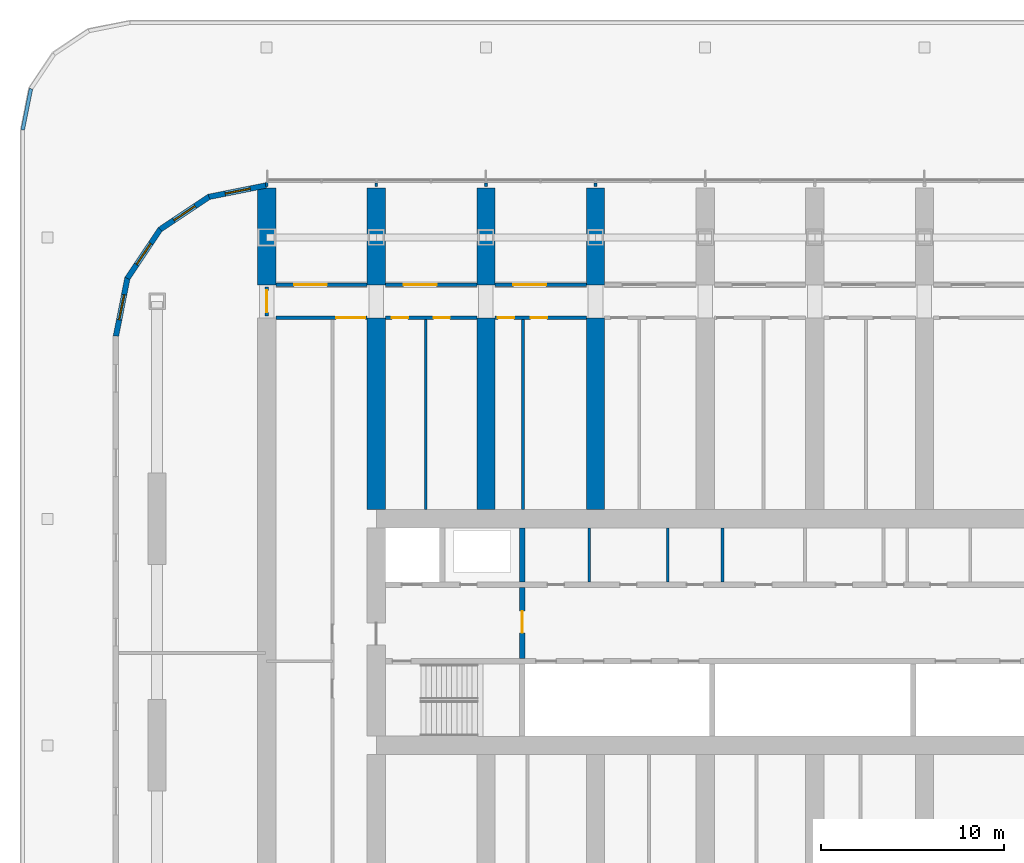
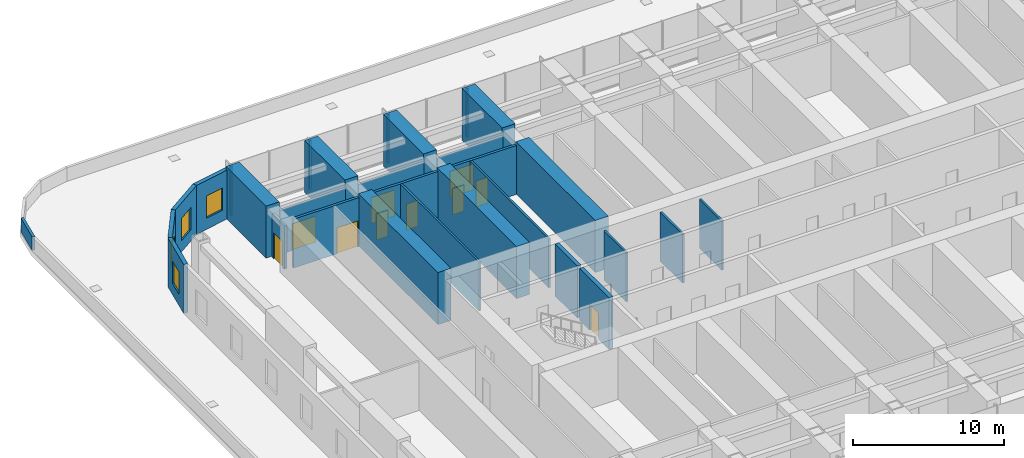
# One storey, part 13 of 23: 30 walls, 10 doors, 4 windows, 14 openings.
"""IFC4 building model written with IfcOpenShell, lengths in metres."""

import ifcopenshell
import ifcopenshell.guid

model = None  # the IFC model being written
_history = None  # IfcOwnerHistory: only IFC2X3 demands one
_inside = {}  # id of a spatial element -> (the spatial element, [elements in it])
_under = {}  # id of a project, library or spatial element -> (it, [spatial elements below it])
_declared = {}  # id of a project -> (the project, [libraries it declares])
_typed = {}  # id of a type object -> (the type object, [elements of that type])
_made_of = {}  # id of a material, layer set ... -> (it, [elements and type objects made of it])


def new_model(schema):
    """Start an empty IFC model of exactly this schema.

    Asked for "IFC4X3", IfcOpenShell would pick the latest addendum, in which some entities
    have other attributes; the version numbers below select the first issue.
    IFC2X3 requires an IfcOwnerHistory on every rooted entity: one is made here for all.
    """
    global model, _history
    if schema == "IFC4X3":
        model = ifcopenshell.file(schema_version=(4, 3, 0, 0))
    else:
        model = ifcopenshell.file(schema=schema)
    _inside.clear()
    _under.clear()
    _declared.clear()
    _typed.clear()
    _made_of.clear()
    _history = None
    if model.schema == "IFC2X3":
        org = make("IfcOrganization", Name="unknown")
        user = make(
            "IfcPersonAndOrganization",
            ThePerson=make("IfcPerson", FamilyName="unknown"),
            TheOrganization=org,
        )
        app = make(
            "IfcApplication",
            ApplicationDeveloper=org,
            Version="unknown",
            ApplicationFullName="unknown",
            ApplicationIdentifier="unknown",
        )
        _history = make(
            "IfcOwnerHistory",
            OwningUser=user,
            OwningApplication=app,
            ChangeAction="ADDED",
            CreationDate=0,
        )
    return model


def make(cls, **values):
    """One entity of the class cls with the attributes given. An attribute that is None is left unset."""
    return model.create_entity(
        cls, **{name: value for name, value in values.items() if value is not None}
    )


def rooted(cls, **values):
    """An entity with a GlobalId (a new one), such as an element, a storey or a relation."""
    return make(cls, GlobalId=ifcopenshell.guid.new(), OwnerHistory=_history, **values)


def si_unit(unit_type, name, prefix=None):
    """IfcSIUnit, for example si_unit("LENGTHUNIT", "METRE", prefix="MILLI")."""
    return make("IfcSIUnit", UnitType=unit_type, Prefix=prefix, Name=name)


def assignment(units):
    """IfcUnitAssignment: the units of a project."""
    return None if units is None else make("IfcUnitAssignment", Units=units)


def point(xyz):
    """IfcCartesianPoint."""
    return None if xyz is None else make("IfcCartesianPoint", Coordinates=xyz)


def direction(xyz):
    """IfcDirection."""
    return None if xyz is None else make("IfcDirection", DirectionRatios=xyz)


def frame(location, z_axis=None, x_axis=None):
    """IfcAxis2Placement3D, a coordinate frame: its origin and axes. An axis left out is left unset."""
    return make(
        "IfcAxis2Placement3D",
        Location=point(location),
        Axis=direction(z_axis),
        RefDirection=direction(x_axis),
    )


def frame_2d(location, x_axis=None):
    """IfcAxis2Placement2D, a coordinate frame in the plane: its origin and x axis."""
    return make(
        "IfcAxis2Placement2D", Location=point(location), RefDirection=direction(x_axis)
    )


def origin():
    """The frame at (0, 0, 0) with its axes left unset."""
    return frame((0.0, 0.0, 0.0))


def place(relative_to, where):
    """IfcLocalPlacement: puts the frame where relative to a parent placement (None: the world)."""
    return make(
        "IfcLocalPlacement", PlacementRelTo=relative_to, RelativePlacement=where
    )


def context(
    kind, dimensions, precision=None, world=None, true_north=None, identifier=None
):
    """IfcGeometricRepresentationContext, for example the 3D "Model" context."""
    return make(
        "IfcGeometricRepresentationContext",
        ContextIdentifier=identifier,
        ContextType=kind,
        CoordinateSpaceDimension=dimensions,
        Precision=precision,
        WorldCoordinateSystem=world,
        TrueNorth=true_north,
    )


def subcontext(parent, identifier, kind, view, scale=None):
    """IfcGeometricRepresentationSubContext, for example "Body" below "Model"."""
    return make(
        "IfcGeometricRepresentationSubContext",
        ContextIdentifier=identifier,
        ContextType=kind,
        ParentContext=parent,
        TargetScale=scale,
        TargetView=view,
    )


def project(units=None, contexts=None):
    """IfcProject with its units and contexts."""
    return rooted(
        "IfcProject",
        Name="project",
        RepresentationContexts=contexts,
        UnitsInContext=assignment(units),
    )


def spatial(cls, under=None, at=None, **own):
    """A site, building, storey or space (cls), placed at a placement, below another one or the project."""
    s = rooted(cls, ObjectPlacement=at, **own)
    if under is not None:
        _under.setdefault(under.id(), (under, []))[1].append(s)
    return s


def polyline(points):
    """IfcPolyline through the points."""
    return make("IfcPolyline", Points=[point(p) for p in points])


def profile(cls, at=None, kind="AREA", **sizes):
    """A parametric profile (cls). Its sizes go by their IFC names, for example OverallWidth=200.0."""
    return make(cls, ProfileType=kind, Position=at, **sizes)


def rectangle(**sizes):
    """IfcRectangleProfileDef."""
    return profile("IfcRectangleProfileDef", **sizes)


def outline(outer, holes=None, kind="AREA"):
    """IfcArbitraryClosedProfileDef: a profile drawn as a closed curve; with holes, ...WithVoids."""
    if holes is None:
        return make("IfcArbitraryClosedProfileDef", ProfileType=kind, OuterCurve=outer)
    return make(
        "IfcArbitraryProfileDefWithVoids",
        ProfileType=kind,
        OuterCurve=outer,
        InnerCurves=holes,
    )


def extrude(swept, where, along, depth):
    """IfcExtrudedAreaSolid: the profile swept, set in the frame where, extruded along a direction by depth."""
    return make(
        "IfcExtrudedAreaSolid",
        SweptArea=swept,
        Position=where,
        ExtrudedDirection=direction(along),
        Depth=depth,
    )


def shape(context_of_items, identifier, shape_type, items):
    """IfcShapeRepresentation: the items that make up one representation, for example the "Body"."""
    return make(
        "IfcShapeRepresentation",
        ContextOfItems=context_of_items,
        RepresentationIdentifier=identifier,
        RepresentationType=shape_type,
        Items=items,
    )


def material(Name=None, Category=None):
    """IfcMaterial."""
    return make("IfcMaterial", Name=Name, Category=Category)


def layer(
    of_material, thickness, ventilated=None, Name=None, Category=None, Priority=None
):
    """IfcMaterialLayer: one layer of a wall or slab, of a material (None: an air gap)."""
    return make(
        "IfcMaterialLayer",
        Material=of_material,
        LayerThickness=thickness,
        IsVentilated=ventilated,
        Name=Name,
        Category=Category,
        Priority=Priority,
    )


def layer_set(layers, Name=None):
    """IfcMaterialLayerSet."""
    return make("IfcMaterialLayerSet", MaterialLayers=layers, LayerSetName=Name)


def made_of(thing, what):
    """Note that an element or type object is made of a material, layer set ...; save() writes the relation."""
    if what is not None:
        _made_of.setdefault(what.id(), (what, []))[1].append(thing)
    return thing


def type_object(cls, material=None, **own):
    """A type object (cls), such as IfcWallType, which elements share."""
    return made_of(rooted(cls, **own), material)


def element(
    cls,
    number,
    at=None,
    inside=None,
    cuts=None,
    type_object=None,
    material=None,
    context=None,
    identifier="Body",
    shape_type=None,
    held_by="IfcProductDefinitionShape",
    body=None,
    shapes=None,
    **own,
):
    """One element of the class cls, such as IfcWall. Its Tag is "e" and its number.

    at: its placement. inside: the storey or other place that contains it. cuts: it is an
    opening in that element (IfcRelVoidsElement). A single representation is given by context,
    identifier, shape_type and body (its items); several are given by shapes. held_by: the class
    of the entity that holds the representations. save() writes the other relations.
    """
    e = rooted(cls, Tag="e%d" % number, ObjectPlacement=at, **own)
    if body is not None:
        shapes = [shape(context, identifier, shape_type, body)]
    if shapes is not None:
        e.Representation = make(held_by, Representations=shapes)
    if inside is not None:
        _inside.setdefault(inside.id(), (inside, []))[1].append(e)
    if cuts is not None:
        rooted(
            "IfcRelVoidsElement", RelatingBuildingElement=cuts, RelatedOpeningElement=e
        )
    if type_object is not None:
        _typed.setdefault(type_object.id(), (type_object, []))[1].append(e)
    return made_of(e, material)


def fill(opening, filler):
    """IfcRelFillsElement: the door or window that sits in an opening."""
    return rooted(
        "IfcRelFillsElement",
        RelatingOpeningElement=opening,
        RelatedBuildingElement=filler,
    )


def aggregate(whole, parts):
    """IfcRelAggregates: a whole, such as a stair, and the parts it consists of."""
    return rooted("IfcRelAggregates", RelatingObject=whole, RelatedObjects=parts)


def save(model, path):
    """Write the relations noted so far, then the file.

    IfcRelAggregates (storeys below a building ...), IfcRelContainedInSpatialStructure (elements
    in a storey), IfcRelDefinesByType, IfcRelAssociatesMaterial and IfcRelDeclares: one each for
    every whole, place, type object, material and project.
    """
    for whole, parts in _under.values():
        aggregate(whole, parts)
    for where, things in _inside.values():
        rooted(
            "IfcRelContainedInSpatialStructure",
            RelatedElements=things,
            RelatingStructure=where,
        )
    for kind, things in _typed.values():
        rooted("IfcRelDefinesByType", RelatedObjects=things, RelatingType=kind)
    for what, things in _made_of.values():
        rooted("IfcRelAssociatesMaterial", RelatedObjects=things, RelatingMaterial=what)
    for by, libraries in _declared.values():
        rooted("IfcRelDeclares", RelatingContext=by, RelatedDefinitions=libraries)
    model.write(path)


model = new_model("IFC4")

# Units and contexts
model_context = context("Model", 3, precision=1e-05, world=origin(), true_north=direction((0.0, 1.0)))
body_context = subcontext(model_context, "Body", "Model", "MODEL_VIEW")
ifc_project = project(units=[si_unit("LENGTHUNIT", "METRE"), si_unit("AREAUNIT", "SQUARE_METRE"), si_unit("VOLUMEUNIT", "CUBIC_METRE"), si_unit("PLANEANGLEUNIT", "RADIAN"), si_unit("MASSUNIT", "GRAM", prefix="KILO")], contexts=[model_context])

# Site, building, storey
site_placement = place(None, origin())
site = spatial("IfcSite", under=ifc_project, at=site_placement, CompositionType="ELEMENT")
building_placement = place(site_placement, origin())
building = spatial("IfcBuilding", under=site, at=building_placement, Name="Orbita Commons", CompositionType="ELEMENT")
storey_placement = place(building_placement, frame((0.0, 0.0, 16.0)))
storey = spatial("IfcBuildingStorey", under=building, at=storey_placement, Name="L03", CompositionType="ELEMENT", Elevation=16.0)

# Wall, opening, door
ifc_material_1 = material(Name="Concrete C50/60", Category="concrete")
ifc_layer_1 = layer(ifc_material_1, 0.300048828125)
ifc_layer_set_1 = layer_set([ifc_layer_1], Name="Concrete C50/60")
wall_type_1 = type_object("IfcWallType", Name="Core inner wall 300 C50/60", PredefinedType="SHEAR", material=ifc_layer_set_1)
wall_1_placement = place(storey_placement, frame((26.0, 30.550048828125, 0.0), z_axis=(0.0, 0.0, 1.0), x_axis=(0.0, 1.0, 0.0)))
wall_1 = element("IfcWall", 1, at=wall_1_placement, inside=storey, type_object=wall_type_1, Name="Firefighting lobby wall west L03", PredefinedType="SHEAR", context=body_context, shape_type="SweptSolid", body=[
    extrude(rectangle(XDim=3.89990234375, YDim=0.300048828125, at=frame_2d((1.949951171875, 0.0))), origin(), (0.0, 0.0, 1.0), 4.199951171875),
])
opening_1_placement = place(wall_1_placement, frame((1.39990234375, 0.0, 0.0)))
opening_1 = element("IfcOpeningElement", 2, at=opening_1_placement, cuts=wall_1, Name="Opening D04", PredefinedType="OPENING", context=body_context, shape_type="SweptSolid", body=[
    extrude(rectangle(XDim=1.199951171875, YDim=2.10009765625, at=frame_2d((0.60009765625, 1.050048828125))), frame((0.0, 0.159912109375, 0.0), z_axis=(0.0, -1.0, 0.0), x_axis=(1.0, 0.0, 0.0)), (0.0, 0.0, 1.0), 0.320068359375),
])
ifc_material_2 = material(Name="Steel-faced fire door leaf", Category="steel")
door_type_1 = type_object("IfcDoorType", Name="Service door 20 min 1200x2100", OperationType="SINGLE_SWING_LEFT", PredefinedType="DOOR", material=ifc_material_2)
door_1_placement = place(opening_1_placement, origin())
door_1 = element("IfcDoor", 3, at=door_1_placement, inside=storey, type_object=door_type_1, Name="Lift lobby door west", OperationType="SINGLE_SWING_LEFT", OverallHeight=2.10009765625, OverallWidth=1.199951171875, PredefinedType="DOOR", context=body_context, shape_type="SweptSolid", body=[
    extrude(rectangle(XDim=1.199951171875, YDim=2.10009765625, at=frame_2d((0.60009765625, 1.050048828125))), frame((0.0, 0.02490234375, 0.0), z_axis=(0.0, -1.0, 0.0), x_axis=(1.0, 0.0, 0.0)), (0.0, 0.0, 1.0), 0.050048828125),
])
fill(opening_1, door_1)

# Walls
wall_2_placement = place(storey_placement, frame((26.0, 34.75, 0.0), z_axis=(0.0, 0.0, 1.0), x_axis=(0.0, 1.0, 0.0)))
element("IfcWall", 4, at=wall_2_placement, inside=storey, type_object=wall_type_1, Name="Riser wall west L03", PredefinedType="SHEAR", context=body_context, shape_type="SweptSolid", body=[
    extrude(rectangle(XDim=2.949951171875, YDim=0.300048828125, at=frame_2d((1.47509765625, 0.0))), origin(), (0.0, 0.0, 1.0), 4.199951171875),
])
ifc_material_3 = material(Name="Concrete blockwork", Category="masonry")
ifc_layer_2 = layer(ifc_material_3, 0.14990234375)
ifc_layer_set_2 = layer_set([ifc_layer_2], Name="Concrete blockwork")
wall_type_2 = type_object("IfcWallType", Name="Core partition 150 blockwork", PredefinedType="SOLIDWALL", material=ifc_layer_set_2)
for number, where, z_axis, x_axis, name in (
    (5, (29.65087890625, 34.75, 0.0), (0.0, 0.0, 1.0), (0.0, 1.0, 0.0), "Core partition 150 blockwork L03"),
    (6, (33.9462890625, 34.75, 0.0), (0.0, 0.0, 1.0), (0.0, 1.0, 0.0), "Core partition 150 blockwork L03"),
    (7, (36.9462890625, 34.75, 0.0), (0.0, 0.0, 1.0), (0.0, 1.0, 0.0), "Core partition 150 blockwork L03"),
):
    element("IfcWall", number, at=place(storey_placement, frame(where, z_axis=z_axis, x_axis=x_axis)), inside=storey, type_object=wall_type_2, Name=name, PredefinedType="SOLIDWALL", context=body_context, shape_type="SweptSolid", body=[
        extrude(rectangle(XDim=2.949951171875, YDim=0.14990234375, at=frame_2d((1.47509765625, 0.0))), origin(), (0.0, 0.0, 1.0), 3.949951171875),
    ])

# Wall, opening, door
ifc_material_4 = material(Name="Concrete blockwork", Category="masonry")
ifc_layer_3 = layer(ifc_material_4, 0.199951171875)
ifc_layer_set_3 = layer_set([ifc_layer_3], Name="Concrete blockwork")
wall_type_3 = type_object("IfcWallType", Name="Corridor wall 200 blockwork", PredefinedType="SOLIDWALL", material=ifc_layer_set_3)
wall_3_placement = place(storey_placement, frame((12.5, 51.0, 0.0), z_axis=(0.0, 0.0, 1.0), x_axis=(1.0, 0.0, 0.0)))
wall_3 = element("IfcWall", 8, at=wall_3_placement, inside=storey, type_object=wall_type_3, Name="Corridor wall 200 blockwork L03", PredefinedType="SOLIDWALL", context=body_context, shape_type="SweptSolid", body=[
    extrude(outline(polyline([(0.0, 0.0), (5.0, 0.0), (5.0, 3.550048828125), (0.0, 3.550048828125), (0.0, 0.0)])), frame((0.0, 0.10009765625, 0.0), z_axis=(0.0, -1.0, 0.0), x_axis=(1.0, 0.0, 0.0)), (0.0, 0.0, 1.0), 0.199951171875),
])
opening_2_placement = place(wall_3_placement, frame((1.0, 0.0, 0.0)))
opening_2 = element("IfcOpeningElement", 9, at=opening_2_placement, cuts=wall_3, Name="Opening D07", PredefinedType="OPENING", context=body_context, shape_type="SweptSolid", body=[
    extrude(rectangle(XDim=1.800048828125, YDim=2.10009765625, at=frame_2d((0.89990234375, 1.050048828125))), frame((0.0, 0.10986328125, 0.0), z_axis=(0.0, -1.0, 0.0), x_axis=(1.0, 0.0, 0.0)), (0.0, 0.0, 1.0), 0.219970703125),
])
ifc_material_5 = material(Name="Steel-faced fire door leaf", Category="steel")
door_type_2 = type_object("IfcDoorType", Name="Double corridor door 20 min 1800x2100", OperationType="DOUBLE_DOOR_SINGLE_SWING", PredefinedType="DOOR", material=ifc_material_5)
door_2_placement = place(opening_2_placement, origin())
door_2 = element("IfcDoor", 10, at=door_2_placement, inside=storey, type_object=door_type_2, Name="Co-working room north L03-NF0 doors", OperationType="DOUBLE_DOOR_SINGLE_SWING", OverallHeight=2.10009765625, OverallWidth=1.800048828125, PredefinedType="DOOR", context=body_context, shape_type="SweptSolid", body=[
    extrude(rectangle(XDim=1.800048828125, YDim=2.10009765625, at=frame_2d((0.89990234375, 1.050048828125))), frame((0.0, 0.02490234375, 0.0), z_axis=(0.0, -1.0, 0.0), x_axis=(1.0, 0.0, 0.0)), (0.0, 0.0, 1.0), 0.050048828125),
])
fill(opening_2, door_2)

wall_4_placement = place(storey_placement, frame((18.5, 51.0, 0.0), z_axis=(0.0, 0.0, 1.0), x_axis=(1.0, 0.0, 0.0)))
wall_4 = element("IfcWall", 11, at=wall_4_placement, inside=storey, type_object=wall_type_3, Name="Corridor wall 200 blockwork L03", PredefinedType="SOLIDWALL", context=body_context, shape_type="SweptSolid", body=[
    extrude(outline(polyline([(0.0, 0.0), (5.0, 0.0), (5.0, 3.550048828125), (0.0, 3.550048828125), (0.0, 0.0)])), frame((0.0, 0.10009765625, 0.0), z_axis=(0.0, -1.0, 0.0), x_axis=(1.0, 0.0, 0.0)), (0.0, 0.0, 1.0), 0.199951171875),
])
opening_3_placement = place(wall_4_placement, frame((1.0, 0.0, 0.0)))
opening_3 = element("IfcOpeningElement", 12, at=opening_3_placement, cuts=wall_4, Name="Opening D07", PredefinedType="OPENING", context=body_context, shape_type="SweptSolid", body=[
    extrude(rectangle(XDim=1.800048828125, YDim=2.10009765625, at=frame_2d((0.89990234375, 1.050048828125))), frame((0.0, 0.10986328125, 0.0), z_axis=(0.0, -1.0, 0.0), x_axis=(1.0, 0.0, 0.0)), (0.0, 0.0, 1.0), 0.219970703125),
])
door_3_placement = place(opening_3_placement, origin())
door_3 = element("IfcDoor", 13, at=door_3_placement, inside=storey, type_object=door_type_2, Name="Study hall north L03-NF1 doors", OperationType="DOUBLE_DOOR_SINGLE_SWING", OverallHeight=2.10009765625, OverallWidth=1.800048828125, PredefinedType="DOOR", context=body_context, shape_type="SweptSolid", body=[
    extrude(rectangle(XDim=1.800048828125, YDim=2.10009765625, at=frame_2d((0.89990234375, 1.050048828125))), frame((0.0, 0.02490234375, 0.0), z_axis=(0.0, -1.0, 0.0), x_axis=(1.0, 0.0, 0.0)), (0.0, 0.0, 1.0), 0.050048828125),
])
fill(opening_3, door_3)

wall_5_placement = place(storey_placement, frame((24.5, 51.0, 0.0), z_axis=(0.0, 0.0, 1.0), x_axis=(1.0, 0.0, 0.0)))
wall_5 = element("IfcWall", 14, at=wall_5_placement, inside=storey, type_object=wall_type_3, Name="Corridor wall 200 blockwork L03", PredefinedType="SOLIDWALL", context=body_context, shape_type="SweptSolid", body=[
    extrude(outline(polyline([(0.0, 0.0), (5.0, 0.0), (5.0, 3.550048828125), (0.0, 3.550048828125), (0.0, 0.0)])), frame((0.0, 0.10009765625, 0.0), z_axis=(0.0, -1.0, 0.0), x_axis=(1.0, 0.0, 0.0)), (0.0, 0.0, 1.0), 0.199951171875),
])
opening_4_placement = place(wall_5_placement, frame((1.0, 0.0, 0.0)))
opening_4 = element("IfcOpeningElement", 15, at=opening_4_placement, cuts=wall_5, Name="Opening D07", PredefinedType="OPENING", context=body_context, shape_type="SweptSolid", body=[
    extrude(rectangle(XDim=1.800048828125, YDim=2.10009765625, at=frame_2d((0.89990234375, 1.050048828125))), frame((0.0, 0.10986328125, 0.0), z_axis=(0.0, -1.0, 0.0), x_axis=(1.0, 0.0, 0.0)), (0.0, 0.0, 1.0), 0.219970703125),
])
door_4_placement = place(opening_4_placement, origin())
door_4 = element("IfcDoor", 16, at=door_4_placement, inside=storey, type_object=door_type_2, Name="Meeting room L03-NF2 doors", OperationType="DOUBLE_DOOR_SINGLE_SWING", OverallHeight=2.10009765625, OverallWidth=1.800048828125, PredefinedType="DOOR", context=body_context, shape_type="SweptSolid", body=[
    extrude(rectangle(XDim=1.800048828125, YDim=2.10009765625, at=frame_2d((0.89990234375, 1.050048828125))), frame((0.0, 0.02490234375, 0.0), z_axis=(0.0, -1.0, 0.0), x_axis=(1.0, 0.0, 0.0)), (0.0, 0.0, 1.0), 0.050048828125),
])
fill(opening_4, door_4)

wall_6_placement = place(storey_placement, frame((12.0, 49.300048828125, 0.0), z_axis=(0.0, 0.0, 1.0), x_axis=(0.0, 1.0, 0.0)))
wall_6 = element("IfcWall", 17, at=wall_6_placement, inside=storey, type_object=wall_type_3, Name="Corridor wall 200 blockwork L03", PredefinedType="SOLIDWALL", context=body_context, shape_type="SweptSolid", body=[
    extrude(outline(polyline([(0.0, 0.0), (1.599853515625, 0.0), (1.60009765625, 3.5), (0.0, 3.5), (0.0, 0.0)])), frame((0.0, 0.10009765625, 0.0), z_axis=(0.0, -1.0, 0.0), x_axis=(1.0, 0.0, 0.0)), (0.0, 0.0, 1.0), 0.199951171875),
])
opening_5_placement = place(wall_6_placement, frame((0.199951171875, 0.0, 0.0)))
opening_5 = element("IfcOpeningElement", 18, at=opening_5_placement, cuts=wall_6, Name="Opening D12", PredefinedType="OPENING", context=body_context, shape_type="SweptSolid", body=[
    extrude(rectangle(XDim=1.199951171875, YDim=2.10009765625, at=frame_2d((0.60009765625, 1.050048828125))), frame((0.0, 0.10986328125, 0.0), z_axis=(0.0, -1.0, 0.0), x_axis=(1.0, 0.0, 0.0)), (0.0, 0.0, 1.0), 0.219970703125),
])
ifc_material_6 = material(Name="Steel-faced fire door leaf", Category="steel")
door_type_3 = type_object("IfcDoorType", Name="Double corridor door 20 min 1200x2100", OperationType="DOUBLE_DOOR_SINGLE_SWING", PredefinedType="DOOR", material=ifc_material_6)
door_5_placement = place(opening_5_placement, origin())
door_5 = element("IfcDoor", 19, at=door_5_placement, inside=storey, type_object=door_type_3, Name="Lounge doors", OperationType="DOUBLE_DOOR_SINGLE_SWING", OverallHeight=2.10009765625, OverallWidth=1.199951171875, PredefinedType="DOOR", context=body_context, shape_type="SweptSolid", body=[
    extrude(rectangle(XDim=1.199951171875, YDim=2.10009765625, at=frame_2d((0.60009765625, 1.050048828125))), frame((0.0, 0.02490234375, 0.0), z_axis=(0.0, -1.0, 0.0), x_axis=(1.0, 0.0, 0.0)), (0.0, 0.0, 1.0), 0.050048828125),
])
fill(opening_5, door_5)

ifc_material_7 = material(Name="Hollow concrete block 200", Category="concrete")
ifc_layer_4 = layer(ifc_material_7, 0.199951171875)
ifc_layer_set_4 = layer_set([ifc_layer_4], Name="Hollow concrete block 200")
wall_type_4 = type_object("IfcWallType", Name="Corridor wall 200 hollow concrete block", PredefinedType="SOLIDWALL", material=ifc_layer_set_4)
wall_7_placement = place(storey_placement, frame((12.5, 49.199951171875, 0.0), z_axis=(0.0, 0.0, 1.0), x_axis=(1.0, 0.0, 0.0)))
wall_7 = element("IfcWall", 20, at=wall_7_placement, inside=storey, type_object=wall_type_4, Name="Corridor wall 200 hollow concrete block L03", PredefinedType="SOLIDWALL", context=body_context, shape_type="SweptSolid", body=[
    extrude(rectangle(XDim=5.0, YDim=0.199951171875, at=frame_2d((2.5, 0.0))), origin(), (0.0, 0.0, 1.0), 3.949951171875),
])
opening_6_placement = place(wall_7_placement, frame((3.300048828125, 0.0, 0.0)))
opening_6 = element("IfcOpeningElement", 21, at=opening_6_placement, cuts=wall_7, Name="Opening D10", PredefinedType="OPENING", context=body_context, shape_type="SweptSolid", body=[
    extrude(rectangle(XDim=1.60009765625, YDim=2.10009765625, at=frame_2d((0.800048828125, 1.050048828125))), frame((0.0, 0.10986328125, 0.0), z_axis=(0.0, -1.0, 0.0), x_axis=(1.0, 0.0, 0.0)), (0.0, 0.0, 1.0), 0.219970703125),
])
ifc_material_8 = material(Name="Steel-faced fire door leaf", Category="steel")
door_type_4 = type_object("IfcDoorType", Name="Double corridor door 20 min 1600x2100", OperationType="DOUBLE_DOOR_SINGLE_SWING", PredefinedType="DOOR", material=ifc_material_8)
door_6_placement = place(opening_6_placement, origin())
door_6 = element("IfcDoor", 22, at=door_6_placement, inside=storey, type_object=door_type_4, Name="Cross corridor doors", OperationType="DOUBLE_DOOR_SINGLE_SWING", OverallHeight=2.10009765625, OverallWidth=1.60009765625, PredefinedType="DOOR", context=body_context, shape_type="SweptSolid", body=[
    extrude(rectangle(XDim=1.60009765625, YDim=2.10009765625, at=frame_2d((0.800048828125, 1.050048828125))), frame((0.0, 0.02490234375, 0.0), z_axis=(0.0, -1.0, 0.0), x_axis=(1.0, 0.0, 0.0)), (0.0, 0.0, 1.0), 0.050048828125),
])
fill(opening_6, door_6)

# Wall, openings, doors
wall_8_placement = place(storey_placement, frame((18.5, 49.199951171875, 0.0), z_axis=(0.0, 0.0, 1.0), x_axis=(1.0, 0.0, 0.0)))
wall_8 = element("IfcWall", 23, at=wall_8_placement, inside=storey, type_object=wall_type_4, Name="Corridor wall 200 hollow concrete block L03", PredefinedType="SOLIDWALL", context=body_context, shape_type="SweptSolid", body=[
    extrude(rectangle(XDim=5.0, YDim=0.199951171875, at=frame_2d((2.5, 0.0))), origin(), (0.0, 0.0, 1.0), 3.949951171875),
])
opening_7_placement = place(wall_8_placement, frame((0.35009765625, 0.0, 0.0)))
opening_7 = element("IfcOpeningElement", 24, at=opening_7_placement, cuts=wall_8, Name="Opening D11", PredefinedType="OPENING", context=body_context, shape_type="SweptSolid", body=[
    extrude(rectangle(XDim=0.89990234375, YDim=2.10009765625, at=frame_2d((0.449951171875, 1.050048828125))), frame((0.0, 0.10986328125, 0.0), z_axis=(0.0, -1.0, 0.0), x_axis=(1.0, 0.0, 0.0)), (0.0, 0.0, 1.0), 0.219970703125),
])
opening_8_placement = place(wall_8_placement, frame((2.635009765625, 0.0, 0.0)))
opening_8 = element("IfcOpeningElement", 25, at=opening_8_placement, cuts=wall_8, Name="Opening D11", PredefinedType="OPENING", context=body_context, shape_type="SweptSolid", body=[
    extrude(rectangle(XDim=0.89990234375, YDim=2.10009765625, at=frame_2d((0.449951171875, 1.050048828125))), frame((0.0, 0.10986328125, 0.0), z_axis=(0.0, -1.0, 0.0), x_axis=(1.0, 0.0, 0.0)), (0.0, 0.0, 1.0), 0.219970703125),
])
ifc_material_9 = material(Name="Steel-faced fire door leaf", Category="steel")
door_type_5 = type_object("IfcDoorType", Name="Corridor door 20 min 900x2100", OperationType="SINGLE_SWING_LEFT", PredefinedType="DOOR", material=ifc_material_9)
door_7_placement = place(opening_7_placement, origin())
door_7 = element("IfcDoor", 26, at=door_7_placement, inside=storey, type_object=door_type_5, Name="Luggage store L03-BDN18n door", OperationType="SINGLE_SWING_LEFT", OverallHeight=2.10009765625, OverallWidth=0.89990234375, PredefinedType="DOOR", context=body_context, shape_type="SweptSolid", body=[
    extrude(rectangle(XDim=0.89990234375, YDim=2.10009765625, at=frame_2d((0.449951171875, 1.050048828125))), frame((0.0, 0.02490234375, 0.0), z_axis=(0.0, -1.0, 0.0), x_axis=(1.0, 0.0, 0.0)), (0.0, 0.0, 1.0), 0.050048828125),
])
fill(opening_7, door_7)
door_8_placement = place(opening_8_placement, origin())
door_8 = element("IfcDoor", 27, at=door_8_placement, inside=storey, type_object=door_type_5, Name="Media room L03-BDN18 door", OperationType="SINGLE_SWING_LEFT", OverallHeight=2.10009765625, OverallWidth=0.89990234375, PredefinedType="DOOR", context=body_context, shape_type="SweptSolid", body=[
    extrude(rectangle(XDim=0.89990234375, YDim=2.10009765625, at=frame_2d((0.449951171875, 1.050048828125))), frame((0.0, 0.02490234375, 0.0), z_axis=(0.0, -1.0, 0.0), x_axis=(1.0, 0.0, 0.0)), (0.0, 0.0, 1.0), 0.050048828125),
])
fill(opening_8, door_8)

wall_9_placement = place(storey_placement, frame((24.5, 49.199951171875, 0.0), z_axis=(0.0, 0.0, 1.0), x_axis=(1.0, 0.0, 0.0)))
wall_9 = element("IfcWall", 28, at=wall_9_placement, inside=storey, type_object=wall_type_4, Name="Corridor wall 200 hollow concrete block L03", PredefinedType="SOLIDWALL", context=body_context, shape_type="SweptSolid", body=[
    extrude(rectangle(XDim=5.0, YDim=0.199951171875, at=frame_2d((2.5, 0.0))), origin(), (0.0, 0.0, 1.0), 3.949951171875),
])
opening_9_placement = place(wall_9_placement, frame((0.14990234375, 0.0, 0.0)))
opening_9 = element("IfcOpeningElement", 29, at=opening_9_placement, cuts=wall_9, Name="Opening D11", PredefinedType="OPENING", context=body_context, shape_type="SweptSolid", body=[
    extrude(rectangle(XDim=0.89990234375, YDim=2.10009765625, at=frame_2d((0.449951171875, 1.050048828125))), frame((0.0, 0.10986328125, 0.0), z_axis=(0.0, -1.0, 0.0), x_axis=(1.0, 0.0, 0.0)), (0.0, 0.0, 1.0), 0.219970703125),
])
opening_10_placement = place(wall_9_placement, frame((1.949951171875, 0.0, 0.0)))
opening_10 = element("IfcOpeningElement", 30, at=opening_10_placement, cuts=wall_9, Name="Opening D11", PredefinedType="OPENING", context=body_context, shape_type="SweptSolid", body=[
    extrude(rectangle(XDim=0.89990234375, YDim=2.10009765625, at=frame_2d((0.449951171875, 1.050048828125))), frame((0.0, 0.10986328125, 0.0), z_axis=(0.0, -1.0, 0.0), x_axis=(1.0, 0.0, 0.0)), (0.0, 0.0, 1.0), 0.219970703125),
])
door_9_placement = place(opening_9_placement, origin())
door_9 = element("IfcDoor", 31, at=door_9_placement, inside=storey, type_object=door_type_5, Name="Battery and UPS room L03-BDN24n door", OperationType="SINGLE_SWING_LEFT", OverallHeight=2.10009765625, OverallWidth=0.89990234375, PredefinedType="DOOR", context=body_context, shape_type="SweptSolid", body=[
    extrude(rectangle(XDim=0.89990234375, YDim=2.10009765625, at=frame_2d((0.449951171875, 1.050048828125))), frame((0.0, 0.02490234375, 0.0), z_axis=(0.0, -1.0, 0.0), x_axis=(1.0, 0.0, 0.0)), (0.0, 0.0, 1.0), 0.050048828125),
])
fill(opening_9, door_9)
door_10_placement = place(opening_10_placement, origin())
door_10 = element("IfcDoor", 32, at=door_10_placement, inside=storey, type_object=door_type_5, Name="Meeting room L03-BDN24 door", OperationType="SINGLE_SWING_LEFT", OverallHeight=2.10009765625, OverallWidth=0.89990234375, PredefinedType="DOOR", context=body_context, shape_type="SweptSolid", body=[
    extrude(rectangle(XDim=0.89990234375, YDim=2.10009765625, at=frame_2d((0.449951171875, 1.050048828125))), frame((0.0, 0.02490234375, 0.0), z_axis=(0.0, -1.0, 0.0), x_axis=(1.0, 0.0, 0.0)), (0.0, 0.0, 1.0), 0.050048828125),
])
fill(opening_10, door_10)

# Walls
ifc_material_10 = material(Name="Concrete C50/60", Category="concrete")
ifc_layer_5 = layer(ifc_material_10, 1.0)
ifc_layer_set_5 = layer_set([ifc_layer_5], Name="Concrete C50/60")
wall_type_5 = type_object("IfcWallType", Name="Cross wall 1000 C50/60", PredefinedType="SHEAR", material=ifc_layer_set_5)
for number, where, z_axis, x_axis, name in (
    (33, (12.0, 51.0, 0.0), (0.0, 0.0, 1.0), (0.0, 1.0, 0.0), "Cross wall 3 north outer L03"),
    (34, (18.0, 51.0, 0.0), (0.0, 0.0, 1.0), (0.0, 1.0, 0.0), "Cross wall 4 north outer L03"),
):
    element("IfcWall", number, at=place(storey_placement, frame(where, z_axis=z_axis, x_axis=x_axis)), inside=storey, type_object=wall_type_5, Name=name, PredefinedType="SHEAR", context=body_context, shape_type="SweptSolid", body=[
        extrude(rectangle(XDim=5.300048828125, YDim=1.0, at=frame_2d((2.64990234375, 0.0))), origin(), (0.0, 0.0, 1.0), 4.199951171875),
    ])
wall_10_placement = place(storey_placement, frame((18.0, 38.699951171875, 0.0), z_axis=(0.0, 0.0, 1.0), x_axis=(0.0, 1.0, 0.0)))
element("IfcWall", 35, at=wall_10_placement, inside=storey, type_object=wall_type_5, Name="Cross wall 4 north inner L03", PredefinedType="SHEAR", context=body_context, shape_type="SweptSolid", body=[
    extrude(rectangle(XDim=10.5, YDim=1.0, at=frame_2d((5.25, 0.0))), origin(), (0.0, 0.0, 1.0), 4.199951171875),
])
wall_11_placement = place(storey_placement, frame((24.0, 51.0, 0.0), z_axis=(0.0, 0.0, 1.0), x_axis=(0.0, 1.0, 0.0)))
element("IfcWall", 36, at=wall_11_placement, inside=storey, type_object=wall_type_5, Name="Cross wall 5 north outer L03", PredefinedType="SHEAR", context=body_context, shape_type="SweptSolid", body=[
    extrude(rectangle(XDim=5.300048828125, YDim=1.0, at=frame_2d((2.64990234375, 0.0))), origin(), (0.0, 0.0, 1.0), 4.199951171875),
])
wall_12_placement = place(storey_placement, frame((24.0, 38.699951171875, 0.0), z_axis=(0.0, 0.0, 1.0), x_axis=(0.0, 1.0, 0.0)))
element("IfcWall", 37, at=wall_12_placement, inside=storey, type_object=wall_type_5, Name="Cross wall 5 north inner L03", PredefinedType="SHEAR", context=body_context, shape_type="SweptSolid", body=[
    extrude(rectangle(XDim=10.5, YDim=1.0, at=frame_2d((5.25, 0.0))), origin(), (0.0, 0.0, 1.0), 4.199951171875),
])
wall_13_placement = place(storey_placement, frame((30.0, 51.0, 0.0), z_axis=(0.0, 0.0, 1.0), x_axis=(0.0, 1.0, 0.0)))
element("IfcWall", 38, at=wall_13_placement, inside=storey, type_object=wall_type_5, Name="Cross wall 6 north outer L03", PredefinedType="SHEAR", context=body_context, shape_type="SweptSolid", body=[
    extrude(rectangle(XDim=5.300048828125, YDim=1.0, at=frame_2d((2.64990234375, 0.0))), origin(), (0.0, 0.0, 1.0), 4.199951171875),
])
wall_14_placement = place(storey_placement, frame((30.0, 38.699951171875, 0.0), z_axis=(0.0, 0.0, 1.0), x_axis=(0.0, 1.0, 0.0)))
element("IfcWall", 39, at=wall_14_placement, inside=storey, type_object=wall_type_5, Name="Cross wall 6 north inner L03", PredefinedType="SHEAR", context=body_context, shape_type="SweptSolid", body=[
    extrude(rectangle(XDim=10.5, YDim=1.0, at=frame_2d((5.25, 0.0))), origin(), (0.0, 0.0, 1.0), 4.199951171875),
])
ifc_material_11 = material(Name="Gypsum plasterboard on steel studs", Category="steel")
ifc_layer_6 = layer(ifc_material_11, 0.14990234375)
ifc_layer_set_6 = layer_set([ifc_layer_6], Name="Gypsum plasterboard on steel studs")
wall_type_6 = type_object("IfcWallType", Name="Partition 150 plasterboard", PredefinedType="PARTITIONING", material=ifc_layer_set_6)
for number, where, z_axis, x_axis, name in (
    (40, (20.7099609375, 38.699951171875, 0.0), (0.0, 0.0, 1.0), (0.0, 1.0, 0.0), "Partition 150 plasterboard L03"),
    (41, (26.02490234375, 38.699951171875, 0.0), (0.0, 0.0, 1.0), (0.0, 1.0, 0.0), "Partition 150 plasterboard L03"),
):
    element("IfcWall", number, at=place(storey_placement, frame(where, z_axis=z_axis, x_axis=x_axis)), inside=storey, type_object=wall_type_6, Name=name, PredefinedType="PARTITIONING", context=body_context, shape_type="SweptSolid", body=[
        extrude(rectangle(XDim=10.400146484375, YDim=0.14990234375, at=frame_2d((5.2001953125, 0.0))), origin(), (0.0, 0.0, 1.0), 3.949951171875),
    ])
wall_15_placement = place(storey_placement, frame((12.0, 56.39990234375, 0.0), z_axis=(0.0, 0.0, 1.0), x_axis=(0.0, 1.0, 0.0)))
element("IfcWall", 42, at=wall_15_placement, inside=storey, type_object=wall_type_6, Name="Partition 150 plasterboard L03", PredefinedType="PARTITIONING", context=body_context, shape_type="SweptSolid", body=[
    extrude(rectangle(XDim=0.22021484375, YDim=0.14990234375, at=frame_2d((0.110107421875, 0.0))), origin(), (0.0, 0.0, 1.0), 3.949951171875),
])
for number, where, z_axis, x_axis, name in (
    (43, (18.0, 56.39990234375, 0.0), (0.0, 0.0, 1.0), (0.0, 1.0, 0.0), "Partition 150 plasterboard L03"),
    (44, (24.0, 56.39990234375, 0.0), (0.0, 0.0, 1.0), (0.0, 1.0, 0.0), "Partition 150 plasterboard L03"),
    (45, (30.0, 56.39990234375, 0.0), (0.0, 0.0, 1.0), (0.0, 1.0, 0.0), "Partition 150 plasterboard L03"),
):
    element("IfcWall", number, at=place(storey_placement, frame(where, z_axis=z_axis, x_axis=x_axis)), inside=storey, type_object=wall_type_6, Name=name, PredefinedType="PARTITIONING", context=body_context, shape_type="SweptSolid", body=[
        extrude(rectangle(XDim=0.190185546875, YDim=0.14990234375, at=frame_2d((0.09521484375, 0.0))), origin(), (0.0, 0.0, 1.0), 3.949951171875),
    ])

# Wall, opening, window
ifc_material_12 = material(Name="Precast concrete C40/50, white board-marked finish", Category="concrete")
ifc_layer_7 = layer(ifc_material_12, 0.300048828125)
ifc_layer_set_7 = layer_set([ifc_layer_7], Name="Precast concrete C40/50, white board-marked finish")
wall_type_7 = type_object("IfcWallType", Name="Precast concrete end shield 300", PredefinedType="SOLIDWALL", material=ifc_layer_set_7)
wall_16_placement = place(storey_placement, frame((12.0, 56.449951171875, 0.0), z_axis=(0.0, 0.0, 1.0), x_axis=(-0.980787251524, -0.195080412259, 0.0)))
wall_16 = element("IfcWall", 46, at=wall_16_placement, inside=storey, type_object=wall_type_7, Name="End shield NW chord 1 L03", PredefinedType="SOLIDWALL", context=body_context, shape_type="SweptSolid", body=[
    extrude(outline(polyline([(-0.02978515625, -0.14990234375), (3.24853515625, -0.14990234375), (3.18896484375, 0.14990234375), (0.02978515625, 0.14990234375), (-0.02978515625, -0.14990234375)])), origin(), (0.0, 0.0, 1.0), 3.949951171875),
])
opening_11_placement = place(wall_16_placement, frame((0.909423828125, 0.0, 0.89990234375)))
opening_11 = element("IfcOpeningElement", 47, at=opening_11_placement, cuts=wall_16, Name="Opening W02", PredefinedType="OPENING", context=body_context, shape_type="SweptSolid", body=[
    extrude(rectangle(XDim=1.39990234375, YDim=1.800048828125, at=frame_2d((0.699951171875, 0.89990234375))), frame((0.0, 0.159912109375, 0.0), z_axis=(0.0, -1.0, 0.0), x_axis=(1.0, 0.0, 0.0)), (0.0, 0.0, 1.0), 0.320068359375),
])
ifc_material_13 = material(Name="Aluminium frame, clear double glazing", Category="aluminium")
window_type = type_object("IfcWindowType", Name="Deep-set window 1400x1800", PartitioningType="SINGLE_PANEL", PredefinedType="WINDOW", material=ifc_material_13)
window_1_placement = place(opening_11_placement, origin())
window_1 = element("IfcWindow", 48, at=window_1_placement, inside=storey, type_object=window_type, Name="Window L03-NW0", OverallHeight=1.800048828125, OverallWidth=1.39990234375, PartitioningType="SINGLE_PANEL", PredefinedType="WINDOW", context=body_context, shape_type="SweptSolid", body=[
    extrude(rectangle(XDim=1.39990234375, YDim=1.800048828125, at=frame_2d((0.699951171875, 0.89990234375))), frame((0.0, 0.030029296875, 0.0), z_axis=(0.0, -1.0, 0.0), x_axis=(1.0, 0.0, 0.0)), (0.0, 0.0, 1.0), 0.06005859375),
])
fill(opening_11, window_1)

wall_17_placement = place(storey_placement, frame((8.843017578125, 55.822021484375, 0.0), z_axis=(0.0, 0.0, 1.0), x_axis=(-0.831478105043, -0.555557522525, 0.0)))
wall_17 = element("IfcWall", 49, at=wall_17_placement, inside=storey, type_object=wall_type_7, Name="End shield NW chord 2 L03", PredefinedType="SOLIDWALL", context=body_context, shape_type="SweptSolid", body=[
    extrude(outline(polyline([(-0.02978515625, -0.14990234375), (3.248779296875, -0.14990234375), (3.189208984375, 0.14990234375), (0.02978515625, 0.14990234375), (-0.02978515625, -0.14990234375)])), origin(), (0.0, 0.0, 1.0), 3.949951171875),
])
opening_12_placement = place(wall_17_placement, frame((0.909423828125, 0.0, 0.89990234375)))
opening_12 = element("IfcOpeningElement", 50, at=opening_12_placement, cuts=wall_17, Name="Opening W02", PredefinedType="OPENING", context=body_context, shape_type="SweptSolid", body=[
    extrude(rectangle(XDim=1.39990234375, YDim=1.800048828125, at=frame_2d((0.699951171875, 0.89990234375))), frame((0.0, 0.159912109375, 0.0), z_axis=(0.0, -1.0, 0.0), x_axis=(1.0, 0.0, 0.0)), (0.0, 0.0, 1.0), 0.320068359375),
])
window_2_placement = place(opening_12_placement, origin())
window_2 = element("IfcWindow", 51, at=window_2_placement, inside=storey, type_object=window_type, Name="Window L03-NW1", OverallHeight=1.800048828125, OverallWidth=1.39990234375, PartitioningType="SINGLE_PANEL", PredefinedType="WINDOW", context=body_context, shape_type="SweptSolid", body=[
    extrude(rectangle(XDim=1.39990234375, YDim=1.800048828125, at=frame_2d((0.699951171875, 0.89990234375))), frame((0.0, 0.030029296875, 0.0), z_axis=(0.0, -1.0, 0.0), x_axis=(1.0, 0.0, 0.0)), (0.0, 0.0, 1.0), 0.06005859375),
])
fill(opening_12, window_2)

wall_18_placement = place(storey_placement, frame((6.16650390625, 54.03369140625, 0.0), z_axis=(0.0, 0.0, 1.0), x_axis=(-0.555609954424, -0.831443069936, 0.0)))
wall_18 = element("IfcWall", 52, at=wall_18_placement, inside=storey, type_object=wall_type_7, Name="End shield NW chord 3 L03", PredefinedType="SOLIDWALL", context=body_context, shape_type="SweptSolid", body=[
    extrude(outline(polyline([(-0.02978515625, -0.14990234375), (3.2490234375, -0.14990234375), (3.189453125, 0.14990234375), (0.02978515625, 0.14990234375), (-0.02978515625, -0.14990234375)])), origin(), (0.0, 0.0, 1.0), 3.949951171875),
])
opening_13_placement = place(wall_18_placement, frame((0.909423828125, 0.0, 0.89990234375)))
opening_13 = element("IfcOpeningElement", 53, at=opening_13_placement, cuts=wall_18, Name="Opening W02", PredefinedType="OPENING", context=body_context, shape_type="SweptSolid", body=[
    extrude(rectangle(XDim=1.39990234375, YDim=1.800048828125, at=frame_2d((0.699951171875, 0.89990234375))), frame((0.0, 0.159912109375, 0.0), z_axis=(0.0, -1.0, 0.0), x_axis=(1.0, 0.0, 0.0)), (0.0, 0.0, 1.0), 0.320068359375),
])
window_3_placement = place(opening_13_placement, origin())
window_3 = element("IfcWindow", 54, at=window_3_placement, inside=storey, type_object=window_type, Name="Window L03-NW2", OverallHeight=1.800048828125, OverallWidth=1.39990234375, PartitioningType="SINGLE_PANEL", PredefinedType="WINDOW", context=body_context, shape_type="SweptSolid", body=[
    extrude(rectangle(XDim=1.39990234375, YDim=1.800048828125, at=frame_2d((0.699951171875, 0.89990234375))), frame((0.0, 0.030029296875, 0.0), z_axis=(0.0, -1.0, 0.0), x_axis=(1.0, 0.0, 0.0)), (0.0, 0.0, 1.0), 0.06005859375),
])
fill(opening_13, window_3)

wall_19_placement = place(storey_placement, frame((4.3779296875, 51.357177734375, 0.0), z_axis=(0.0, 0.0, 1.0), x_axis=(-0.195065901187, -0.980790137692, 0.0)))
wall_19 = element("IfcWall", 55, at=wall_19_placement, inside=storey, type_object=wall_type_7, Name="End shield NW chord 4 L03", PredefinedType="SOLIDWALL", context=body_context, shape_type="SweptSolid", body=[
    extrude(outline(polyline([(-0.02978515625, -0.14990234375), (3.23388671875, -0.14990234375), (3.2041015625, 0.14990234375), (0.02978515625, 0.14990234375), (-0.02978515625, -0.14990234375)])), origin(), (0.0, 0.0, 1.0), 3.949951171875),
])
opening_14_placement = place(wall_19_placement, frame((0.909423828125, 0.0, 0.89990234375)))
opening_14 = element("IfcOpeningElement", 56, at=opening_14_placement, cuts=wall_19, Name="Opening W02", PredefinedType="OPENING", context=body_context, shape_type="SweptSolid", body=[
    extrude(rectangle(XDim=1.39990234375, YDim=1.800048828125, at=frame_2d((0.699951171875, 0.89990234375))), frame((0.0, 0.159912109375, 0.0), z_axis=(0.0, -1.0, 0.0), x_axis=(1.0, 0.0, 0.0)), (0.0, 0.0, 1.0), 0.320068359375),
])
window_4_placement = place(opening_14_placement, origin())
window_4 = element("IfcWindow", 57, at=window_4_placement, inside=storey, type_object=window_type, Name="Window L03-NW3", OverallHeight=1.800048828125, OverallWidth=1.39990234375, PartitioningType="SINGLE_PANEL", PredefinedType="WINDOW", context=body_context, shape_type="SweptSolid", body=[
    extrude(rectangle(XDim=1.39990234375, YDim=1.800048828125, at=frame_2d((0.699951171875, 0.89990234375))), frame((0.0, 0.030029296875, 0.0), z_axis=(0.0, -1.0, 0.0), x_axis=(1.0, 0.0, 0.0)), (0.0, 0.0, 1.0), 0.06005859375),
])
fill(opening_14, window_4)

# Wall
ifc_material_14 = material(Name="Precast concrete C40/50, white board-marked finish", Category="concrete")
ifc_layer_8 = layer(ifc_material_14, 0.199951171875)
ifc_layer_set_8 = layer_set([ifc_layer_8], Name="Precast concrete C40/50, white board-marked finish")
wall_type_8 = type_object("IfcWallType", Name="Precast parapet 200", PredefinedType="PARAPET", material=ifc_layer_set_8)
wall_20_placement = place(storey_placement, frame((-1.35009765625, 59.485107421875, 0.0), z_axis=(0.0, 0.0, 1.0), x_axis=(0.195073397651, 0.980788646717, 0.0)))
element("IfcWall", 58, at=wall_20_placement, inside=storey, type_object=wall_type_8, Name="Parapet L03 1.6", PredefinedType="PARAPET", context=body_context, shape_type="SweptSolid", body=[
    extrude(rectangle(XDim=2.296630859375, YDim=0.199951171875, at=frame_2d((1.1484375, 0.0))), origin(), (0.0, 0.0, 1.0), 1.10009765625),
])

save(model, "model.ifc")
